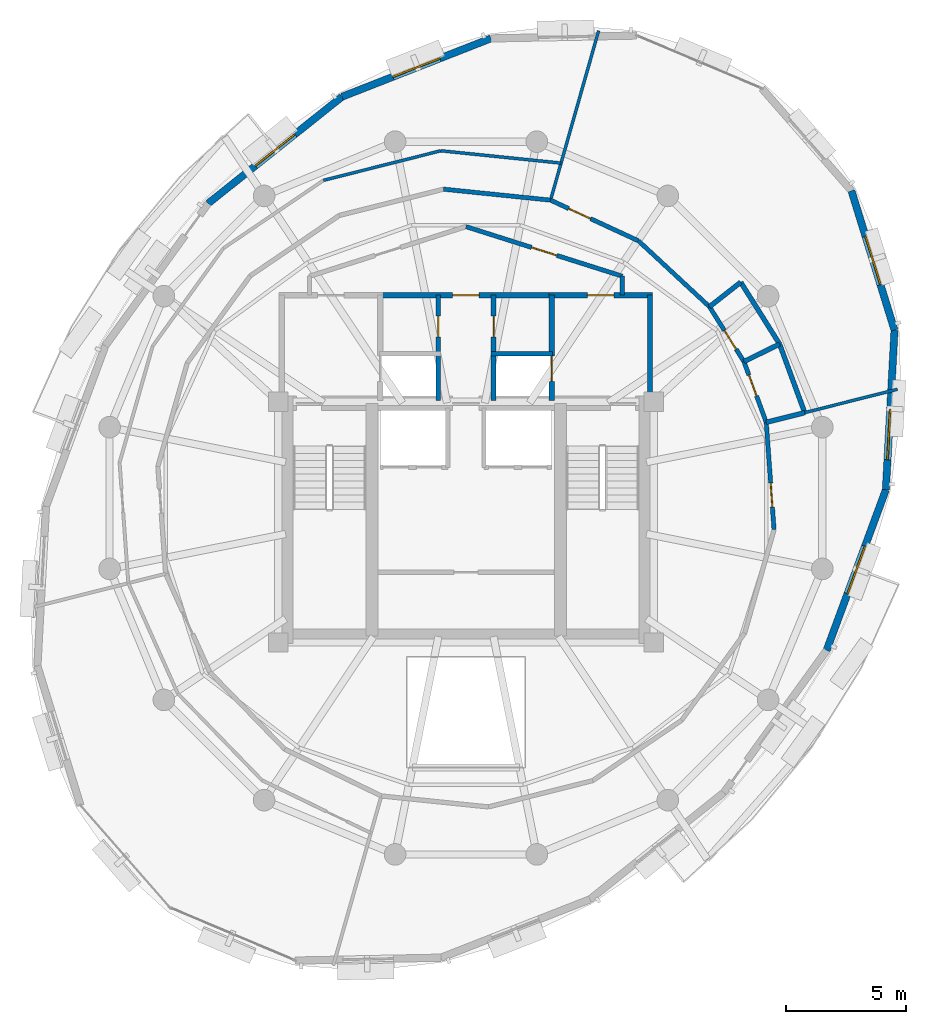
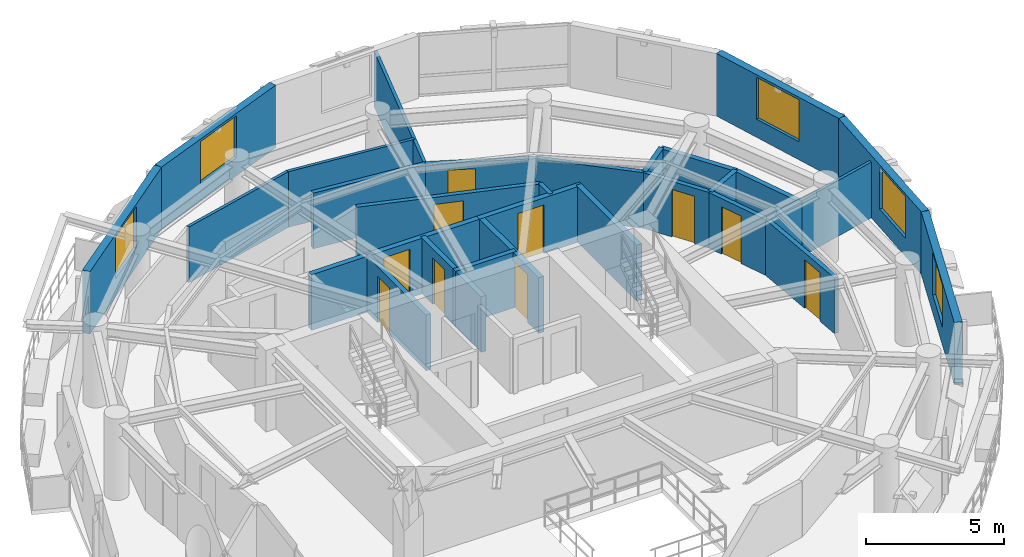
# One storey, part 8 of 11: 29 walls, 10 doors, 5 windows, 15 openings.
"""IFC4 building model written with IfcOpenShell, lengths in metres."""

from ifc_helpers import new_model, si_unit, direction, frame, frame_2d, origin, place, context, subcontext, project, spatial, rectangle, extrude, material, layer, layer_set, type_object, element, fill, save


model = new_model("IFC4")

# Units and contexts
model_context = context("Model", 3, precision=1e-05, world=origin(), true_north=direction((0.0, 1.0)))
body_context = subcontext(model_context, "Body", "Model", "MODEL_VIEW")
ifc_project = project(units=[si_unit("LENGTHUNIT", "METRE"), si_unit("AREAUNIT", "SQUARE_METRE"), si_unit("VOLUMEUNIT", "CUBIC_METRE"), si_unit("PLANEANGLEUNIT", "RADIAN"), si_unit("MASSUNIT", "GRAM", prefix="KILO"), si_unit("THERMODYNAMICTEMPERATUREUNIT", "KELVIN"), si_unit("POWERUNIT", "WATT")], contexts=[model_context])

# Site, building, storey
site_placement = place(None, origin())
site = spatial("IfcSite", under=ifc_project, at=site_placement, CompositionType="ELEMENT")
building_placement = place(site_placement, origin())
building = spatial("IfcBuilding", under=site, at=building_placement, Name="Ocrelia Relay Tower", CompositionType="ELEMENT")
storey_placement = place(building_placement, frame((0.0, 0.0, 255.60009765625)))
storey = spatial("IfcBuildingStorey", under=building, at=storey_placement, Name="L63", CompositionType="ELEMENT", Elevation=255.60009765625)

# Wall
ifc_material_1 = material(Name="Gypsum Fireboard Partition EI60", Category="gypsum")
ifc_layer_1 = layer(ifc_material_1, 0.179931640625, Name="Gypsum Fireboard Partition EI60")
ifc_layer_set_1 = layer_set([ifc_layer_1], Name="Gypsum Fireboard Partition EI60")
wall_type_1 = type_object("IfcWallType", Name="W-CORR-EI60-180", PredefinedType="PARTITIONING", material=ifc_layer_set_1)
wall_1_placement = place(storey_placement, frame((40.5, 35.218994140625, 0.0), z_axis=(0.0, 0.0, 1.0), x_axis=(0.0, -1.0, 0.0)))
element("IfcWall", 1, at=wall_1_placement, inside=storey, type_object=wall_type_1, Name="L63 Smoke Lobby East Return", PredefinedType="PARTITIONING", context=body_context, shape_type="SweptSolid", body=[
    extrude(rectangle(XDim=0.7890625, YDim=0.179931640625, at=frame_2d((0.39453125, 0.0))), origin(), (0.0, 0.0, 1.0), 2.4599609375),
])

# Wall, opening, door
wall_2_placement = place(storey_placement, frame((34.0, 37.280029296875, 0.0), z_axis=(0.0, 0.0, 1.0), x_axis=(0.953228121756, -0.302251795518, 0.0)))
wall_2 = element("IfcWall", 2, at=wall_2_placement, inside=storey, type_object=wall_type_1, Name="L63 North Smoke Lobby E Screen Wall", PredefinedType="PARTITIONING", context=body_context, shape_type="SweptSolid", body=[
    extrude(rectangle(XDim=6.81884765625, YDim=0.179931640625, at=frame_2d((3.409423828125, 0.0))), origin(), (0.0, 0.0, 1.0), 2.4599609375),
])
opening_1_placement = place(wall_2_placement, frame((2.859619140625, 0.0, 0.0)))
opening_1 = element("IfcOpeningElement", 3, at=opening_1_placement, cuts=wall_2, Name="Opening D-FD60", PredefinedType="OPENING", context=body_context, shape_type="SweptSolid", body=[
    extrude(rectangle(XDim=1.10009765625, YDim=2.14990234375, at=frame_2d((0.550048828125, 1.074951171875))), frame((0.0, 0.10009765625, 0.0), z_axis=(0.0, -1.0, 0.0), x_axis=(1.0, 0.0, 0.0)), (0.0, 0.0, 1.0), 0.199951171875),
])
ifc_material_2 = material(Name="Timber-core 60-min acoustic fire door", Category="wood")
door_type_1 = type_object("IfcDoorType", Name="DR-LOBBY-FD60-1100", OperationType="NOTDEFINED", PredefinedType="DOOR", material=ifc_material_2)
door_1_placement = place(opening_1_placement, origin())
door_1 = element("IfcDoor", 4, at=door_1_placement, inside=storey, type_object=door_type_1, Name="L63 North Smoke Lobby E Fire Door", OperationType="SINGLE_SWING_LEFT", OverallHeight=2.14990234375, OverallWidth=1.10009765625, PredefinedType="DOOR", context=body_context, shape_type="SweptSolid", body=[
    extrude(rectangle(XDim=1.10009765625, YDim=2.14990234375, at=frame_2d((0.550048828125, 1.074951171875))), frame((0.0, 0.02490234375, 0.0), z_axis=(0.0, -1.0, 0.0), x_axis=(1.0, 0.0, 0.0)), (0.0, 0.0, 1.0), 0.050048828125),
])
fill(opening_1, door_1)

wall_3_placement = place(storey_placement, frame((46.4794921875, 29.146240234375, 0.0), z_axis=(0.0, 0.0, 1.0), x_axis=(-0.34445194273, 0.938803951392, 0.0)))
wall_3 = element("IfcWall", 5, at=wall_3_placement, inside=storey, type_object=wall_type_1, Name="L63 Staff Toilet Corridor Wall", PredefinedType="PARTITIONING", context=body_context, shape_type="SweptSolid", body=[
    extrude(rectangle(XDim=2.6904296875, YDim=0.179931640625, at=frame_2d((1.34521484375, 0.0))), origin(), (0.0, 0.0, 1.0), 2.4599609375),
])
opening_2_placement = place(wall_3_placement, frame((1.16748046875, 0.0, 0.0)))
opening_2 = element("IfcOpeningElement", 6, at=opening_2_placement, cuts=wall_3, Name="Opening D-WC92", PredefinedType="OPENING", context=body_context, shape_type="SweptSolid", body=[
    extrude(rectangle(XDim=0.919921875, YDim=2.10009765625, at=frame_2d((0.4599609375, 1.050048828125))), frame((0.0, 0.10009765625, 0.0), z_axis=(0.0, -1.0, 0.0), x_axis=(1.0, 0.0, 0.0)), (0.0, 0.0, 1.0), 0.199951171875),
])
ifc_material_3 = material(Name="Laminate washroom door", Category="wood")
door_type_2 = type_object("IfcDoorType", Name="DR-WC-920", OperationType="NOTDEFINED", PredefinedType="DOOR", material=ifc_material_3)
door_2_placement = place(opening_2_placement, origin())
door_2 = element("IfcDoor", 7, at=door_2_placement, inside=storey, type_object=door_type_2, Name="L63 Staff Toilet Door", OperationType="SINGLE_SWING_RIGHT", OverallHeight=2.10009765625, OverallWidth=0.919921875, PredefinedType="DOOR", context=body_context, shape_type="SweptSolid", body=[
    extrude(rectangle(XDim=0.919921875, YDim=2.10009765625, at=frame_2d((0.4599609375, 1.050048828125))), frame((0.0, 0.02490234375, 0.0), z_axis=(0.0, -1.0, 0.0), x_axis=(1.0, 0.0, 0.0)), (0.0, 0.0, 1.0), 0.050048828125),
])
fill(opening_2, door_2)

wall_4_placement = place(storey_placement, frame((45.552734375, 31.672119140625, 0.0), z_axis=(0.0, 0.0, 1.0), x_axis=(-0.53215853756, 0.846644725314, 0.0)))
wall_4 = element("IfcWall", 8, at=wall_4_placement, inside=storey, type_object=wall_type_1, Name="L63 Accessible Toilet Corridor Wall", PredefinedType="PARTITIONING", context=body_context, shape_type="SweptSolid", body=[
    extrude(rectangle(XDim=2.690673828125, YDim=0.179931640625, at=frame_2d((1.34521484375, 0.0))), origin(), (0.0, 0.0, 1.0), 2.4599609375),
])
opening_3_placement = place(wall_4_placement, frame((0.603271484375, 0.0, 0.0)))
opening_3 = element("IfcOpeningElement", 9, at=opening_3_placement, cuts=wall_4, Name="Opening D-WC92", PredefinedType="OPENING", context=body_context, shape_type="SweptSolid", body=[
    extrude(rectangle(XDim=0.919921875, YDim=2.10009765625, at=frame_2d((0.4599609375, 1.050048828125))), frame((0.0, 0.10009765625, 0.0), z_axis=(0.0, -1.0, 0.0), x_axis=(1.0, 0.0, 0.0)), (0.0, 0.0, 1.0), 0.199951171875),
])
door_3_placement = place(opening_3_placement, origin())
door_3 = element("IfcDoor", 10, at=door_3_placement, inside=storey, type_object=door_type_2, Name="L63 Accessible Toilet Door", OperationType="SINGLE_SWING_LEFT", OverallHeight=2.10009765625, OverallWidth=0.919921875, PredefinedType="DOOR", context=body_context, shape_type="SweptSolid", body=[
    extrude(rectangle(XDim=0.919921875, YDim=2.10009765625, at=frame_2d((0.4599609375, 1.050048828125))), frame((0.0, 0.02490234375, 0.0), z_axis=(0.0, -1.0, 0.0), x_axis=(1.0, 0.0, 0.0)), (0.0, 0.0, 1.0), 0.050048828125),
])
fill(opening_3, door_3)

# Wall
wall_5_placement = place(storey_placement, frame((44.120849609375, 33.9501953125, 0.0), z_axis=(0.0, 0.0, 1.0), x_axis=(-0.733136774685, 0.680081222799, 0.0)))
element("IfcWall", 11, at=wall_5_placement, inside=storey, type_object=wall_type_1, Name="L63 Executive Lounge Corridor Partition 1", PredefinedType="PARTITIONING", context=body_context, shape_type="SweptSolid", body=[
    extrude(rectangle(XDim=4.0263671875, YDim=0.179931640625, at=frame_2d((2.01318359375, 0.0))), origin(), (0.0, 0.0, 1.0), 2.4599609375),
])

# Wall, opening, door
wall_6_placement = place(storey_placement, frame((41.1689453125, 36.6884765625, 0.0), z_axis=(0.0, 0.0, 1.0), x_axis=(-0.907413819327, 0.420238218746, 0.0)))
wall_6 = element("IfcWall", 12, at=wall_6_placement, inside=storey, type_object=wall_type_1, Name="L63 Executive Lounge Corridor Partition 2", PredefinedType="PARTITIONING", context=body_context, shape_type="SweptSolid", body=[
    extrude(rectangle(XDim=4.026611328125, YDim=0.179931640625, at=frame_2d((2.01318359375, 0.0))), origin(), (0.0, 0.0, 1.0), 2.4599609375),
])
opening_4_placement = place(wall_6_placement, frame((2.195068359375, 0.0, 0.0)))
opening_4 = element("IfcOpeningElement", 13, at=opening_4_placement, cuts=wall_6, Name="Opening D-RM100", PredefinedType="OPENING", context=body_context, shape_type="SweptSolid", body=[
    extrude(rectangle(XDim=1.0, YDim=2.14990234375, at=frame_2d((0.5, 1.074951171875))), frame((0.0, 0.10009765625, 0.0), z_axis=(0.0, -1.0, 0.0), x_axis=(1.0, 0.0, 0.0)), (0.0, 0.0, 1.0), 0.199951171875),
])
ifc_material_4 = material(Name="Acoustic oak veneer fire door", Category="wood")
door_type_3 = type_object("IfcDoorType", Name="DR-ROOM-FD60-1000", OperationType="NOTDEFINED", PredefinedType="DOOR", material=ifc_material_4)
door_4_placement = place(opening_4_placement, origin())
door_4 = element("IfcDoor", 14, at=door_4_placement, inside=storey, type_object=door_type_3, Name="L63 Executive Lounge Entrance Door", OperationType="SINGLE_SWING_RIGHT", OverallHeight=2.14990234375, OverallWidth=1.0, PredefinedType="DOOR", context=body_context, shape_type="SweptSolid", body=[
    extrude(rectangle(XDim=1.0, YDim=2.14990234375, at=frame_2d((0.5, 1.074951171875))), frame((0.0, 0.02490234375, 0.0), z_axis=(0.0, -1.0, 0.0), x_axis=(1.0, 0.0, 0.0)), (0.0, 0.0, 1.0), 0.050048828125),
])
fill(opening_4, door_4)

# Wall
wall_7_placement = place(storey_placement, frame((37.51513671875, 38.380615234375, 0.0), z_axis=(0.0, 0.0, 1.0), x_axis=(-0.994792520189, 0.10192076224, 0.0)))
element("IfcWall", 15, at=wall_7_placement, inside=storey, type_object=wall_type_1, Name="L63 Principal Reading Gallery Corridor Partition 1", PredefinedType="PARTITIONING", context=body_context, shape_type="SweptSolid", body=[
    extrude(rectangle(XDim=4.4697265625, YDim=0.179931640625, at=frame_2d((2.23486328125, 0.0))), origin(), (0.0, 0.0, 1.0), 2.4599609375),
])

# Wall, opening, door
wall_8_placement = place(storey_placement, frame((46.802978515625, 24.688232421875, 0.0), z_axis=(0.0, 0.0, 1.0), x_axis=(-0.072372694258, 0.997377658225, 0.0)))
wall_8 = element("IfcWall", 16, at=wall_8_placement, inside=storey, type_object=wall_type_1, Name="L63 Fellows Quiet Study Corridor Partition 6", PredefinedType="PARTITIONING", context=body_context, shape_type="SweptSolid", body=[
    extrude(rectangle(XDim=4.4697265625, YDim=0.179931640625, at=frame_2d((2.23486328125, 0.0))), origin(), (0.0, 0.0, 1.0), 2.4599609375),
])
opening_5_placement = place(wall_8_placement, frame((0.9423828125, 0.0, 0.0)))
opening_5 = element("IfcOpeningElement", 17, at=opening_5_placement, cuts=wall_8, Name="Opening D-RM100", PredefinedType="OPENING", context=body_context, shape_type="SweptSolid", body=[
    extrude(rectangle(XDim=1.0, YDim=2.14990234375, at=frame_2d((0.5, 1.074951171875))), frame((0.0, 0.10009765625, 0.0), z_axis=(0.0, -1.0, 0.0), x_axis=(1.0, 0.0, 0.0)), (0.0, 0.0, 1.0), 0.199951171875),
])
door_5_placement = place(opening_5_placement, origin())
door_5 = element("IfcDoor", 18, at=door_5_placement, inside=storey, type_object=door_type_3, Name="L63 Fellows Quiet Study Entrance Door", OperationType="SINGLE_SWING_LEFT", OverallHeight=2.14990234375, OverallWidth=1.0, PredefinedType="DOOR", context=body_context, shape_type="SweptSolid", body=[
    extrude(rectangle(XDim=1.0, YDim=2.14990234375, at=frame_2d((0.5, 1.074951171875))), frame((0.0, 0.02490234375, 0.0), z_axis=(0.0, -1.0, 0.0), x_axis=(1.0, 0.0, 0.0)), (0.0, 0.0, 1.0), 0.050048828125),
])
fill(opening_5, door_5)

# Wall, opening, window
ifc_material_5 = material(Name="Precast concrete C40/50 with oxide terracotta", Category="masonry")
ifc_layer_2 = layer(ifc_material_5, 0.300048828125, Name="Precast concrete C40/50 with oxide terracotta")
ifc_layer_set_2 = layer_set([ifc_layer_2], Name="Precast concrete C40/50 with oxide terracotta")
wall_type_2 = type_object("IfcWallType", Name="W-EXT-TERR-300", PredefinedType="SOLIDWALL", material=ifc_layer_set_2)
wall_9_placement = place(storey_placement, frame((35.033203125, 45.100341796875, 0.0), z_axis=(0.0, 0.0, 1.0), x_axis=(-0.931076763195, -0.364823328527, 0.0)))
wall_9 = element("IfcWall", 19, at=wall_9_placement, inside=storey, type_object=wall_type_2, Name="L63 Oxide Terracotta Facade Wall 03", PredefinedType="SOLIDWALL", context=body_context, shape_type="SweptSolid", body=[
    extrude(rectangle(XDim=6.64306640625, YDim=0.300048828125, at=frame_2d((3.321533203125, 0.0))), origin(), (0.0, 0.0, 1.0), 2.760009765625),
])
opening_6_placement = place(wall_9_placement, frame((2.27197265625, 0.0, 0.800048828125)))
opening_6 = element("IfcOpeningElement", 20, at=opening_6_placement, cuts=wall_9, Name="Opening W-07", PredefinedType="OPENING", context=body_context, shape_type="SweptSolid", body=[
    extrude(rectangle(XDim=2.10009765625, YDim=1.85009765625, at=frame_2d((1.050048828125, 0.925048828125))), frame((0.0, 0.16015625, 0.0), z_axis=(0.0, -1.0, 0.0), x_axis=(1.0, 0.0, 0.0)), (0.0, 0.0, 1.0), 0.320068359375),
])
ifc_material_6 = material(Name="Clear double-glazed low-E glass", Category="glass")
window_type = type_object("IfcWindowType", Name="WIN-Z4-2100x2200", PartitioningType="DOUBLE_PANEL_VERTICAL", PredefinedType="WINDOW", material=ifc_material_6)
window_1_placement = place(opening_6_placement, origin())
window_1 = element("IfcWindow", 21, at=window_1_placement, inside=storey, type_object=window_type, Name="L63 Facade Module Window 03", OverallHeight=1.85009765625, OverallWidth=2.10009765625, PartitioningType="SINGLE_PANEL", PredefinedType="WINDOW", context=body_context, shape_type="SweptSolid", body=[
    extrude(rectangle(XDim=2.10009765625, YDim=1.85009765625, at=frame_2d((1.050048828125, 0.925048828125))), frame((0.0, 0.030029296875, 0.0), z_axis=(0.0, -1.0, 0.0), x_axis=(1.0, 0.0, 0.0)), (0.0, 0.0, 1.0), 0.06005859375),
])
fill(opening_6, window_1)

wall_10_placement = place(storey_placement, frame((28.847900390625, 42.6767578125, 0.0), z_axis=(0.0, 0.0, 1.0), x_axis=(-0.781972270078, -0.623313218879, 0.0)))
wall_10 = element("IfcWall", 22, at=wall_10_placement, inside=storey, type_object=wall_type_2, Name="L63 Oxide Terracotta Facade Wall 04", PredefinedType="SOLIDWALL", context=body_context, shape_type="SweptSolid", body=[
    extrude(rectangle(XDim=7.115234375, YDim=0.300048828125, at=frame_2d((3.5576171875, 0.0))), origin(), (0.0, 0.0, 1.0), 2.760009765625),
])
opening_7_placement = place(wall_10_placement, frame((2.508056640625, 0.0, 0.800048828125)))
opening_7 = element("IfcOpeningElement", 23, at=opening_7_placement, cuts=wall_10, Name="Opening W-07", PredefinedType="OPENING", context=body_context, shape_type="SweptSolid", body=[
    extrude(rectangle(XDim=2.10009765625, YDim=1.85009765625, at=frame_2d((1.050048828125, 0.925048828125))), frame((0.0, 0.16015625, 0.0), z_axis=(0.0, -1.0, 0.0), x_axis=(1.0, 0.0, 0.0)), (0.0, 0.0, 1.0), 0.320068359375),
])
window_2_placement = place(opening_7_placement, origin())
window_2 = element("IfcWindow", 24, at=window_2_placement, inside=storey, type_object=window_type, Name="L63 Facade Module Window 04", OverallHeight=1.85009765625, OverallWidth=2.10009765625, PartitioningType="SINGLE_PANEL", PredefinedType="WINDOW", context=body_context, shape_type="SweptSolid", body=[
    extrude(rectangle(XDim=2.10009765625, YDim=1.85009765625, at=frame_2d((1.050048828125, 0.925048828125))), frame((0.0, 0.030029296875, 0.0), z_axis=(0.0, -1.0, 0.0), x_axis=(1.0, 0.0, 0.0)), (0.0, 0.0, 1.0), 0.06005859375),
])
fill(opening_7, window_2)

wall_11_placement = place(storey_placement, frame((48.9873046875, 19.669921875, 0.0), z_axis=(0.0, 0.0, 1.0), x_axis=(0.346249114685, 0.938142606739, 0.0)))
wall_11 = element("IfcWall", 25, at=wall_11_placement, inside=storey, type_object=wall_type_2, Name="L63 Oxide Terracotta Facade Wall 15", PredefinedType="SOLIDWALL", context=body_context, shape_type="SweptSolid", body=[
    extrude(rectangle(XDim=7.115234375, YDim=0.300048828125, at=frame_2d((3.5576171875, 0.0))), origin(), (0.0, 0.0, 1.0), 2.760009765625),
])
opening_8_placement = place(wall_11_placement, frame((2.508056640625, 0.0, 0.800048828125)))
opening_8 = element("IfcOpeningElement", 26, at=opening_8_placement, cuts=wall_11, Name="Opening W-07", PredefinedType="OPENING", context=body_context, shape_type="SweptSolid", body=[
    extrude(rectangle(XDim=2.10009765625, YDim=1.85009765625, at=frame_2d((1.050048828125, 0.925048828125))), frame((0.0, 0.16015625, 0.0), z_axis=(0.0, -1.0, 0.0), x_axis=(1.0, 0.0, 0.0)), (0.0, 0.0, 1.0), 0.320068359375),
])
window_3_placement = place(opening_8_placement, origin())
window_3 = element("IfcWindow", 27, at=window_3_placement, inside=storey, type_object=window_type, Name="L63 Facade Module Window 15", OverallHeight=1.85009765625, OverallWidth=2.10009765625, PartitioningType="SINGLE_PANEL", PredefinedType="WINDOW", context=body_context, shape_type="SweptSolid", body=[
    extrude(rectangle(XDim=2.10009765625, YDim=1.85009765625, at=frame_2d((1.050048828125, 0.925048828125))), frame((0.0, 0.030029296875, 0.0), z_axis=(0.0, -1.0, 0.0), x_axis=(1.0, 0.0, 0.0)), (0.0, 0.0, 1.0), 0.06005859375),
])
fill(opening_8, window_3)

wall_12_placement = place(storey_placement, frame((51.450927734375, 26.344970703125, 0.0), z_axis=(0.0, 0.0, 1.0), x_axis=(0.054024777516, 0.998539595316, 0.0)))
wall_12 = element("IfcWall", 28, at=wall_12_placement, inside=storey, type_object=wall_type_2, Name="L63 Oxide Terracotta Facade Wall 16", PredefinedType="SOLIDWALL", context=body_context, shape_type="SweptSolid", body=[
    extrude(rectangle(XDim=6.64306640625, YDim=0.300048828125, at=frame_2d((3.321533203125, 0.0))), origin(), (0.0, 0.0, 1.0), 2.760009765625),
])
opening_9_placement = place(wall_12_placement, frame((1.2509765625, 0.0, 0.800048828125)))
opening_9 = element("IfcOpeningElement", 29, at=opening_9_placement, cuts=wall_12, Name="Opening W-07", PredefinedType="OPENING", context=body_context, shape_type="SweptSolid", body=[
    extrude(rectangle(XDim=2.10009765625, YDim=1.85009765625, at=frame_2d((1.050048828125, 0.925048828125))), frame((0.0, 0.16015625, 0.0), z_axis=(0.0, -1.0, 0.0), x_axis=(1.0, 0.0, 0.0)), (0.0, 0.0, 1.0), 0.320068359375),
])
window_4_placement = place(opening_9_placement, origin())
window_4 = element("IfcWindow", 30, at=window_4_placement, inside=storey, type_object=window_type, Name="L63 Facade Module Window 16", OverallHeight=1.85009765625, OverallWidth=2.10009765625, PartitioningType="SINGLE_PANEL", PredefinedType="WINDOW", context=body_context, shape_type="SweptSolid", body=[
    extrude(rectangle(XDim=2.10009765625, YDim=1.85009765625, at=frame_2d((1.050048828125, 0.925048828125))), frame((0.0, 0.030029296875, 0.0), z_axis=(0.0, -1.0, 0.0), x_axis=(1.0, 0.0, 0.0)), (0.0, 0.0, 1.0), 0.06005859375),
])
fill(opening_9, window_4)

wall_13_placement = place(storey_placement, frame((51.809814453125, 32.978271484375, 0.0), z_axis=(0.0, 0.0, 1.0), x_axis=(-0.295175258965, 0.955443125725, 0.0)))
wall_13 = element("IfcWall", 31, at=wall_13_placement, inside=storey, type_object=wall_type_2, Name="L63 Oxide Terracotta Facade Wall 17", PredefinedType="SOLIDWALL", context=body_context, shape_type="SweptSolid", body=[
    extrude(rectangle(XDim=6.061767578125, YDim=0.300048828125, at=frame_2d((3.03076171875, 0.0))), origin(), (0.0, 0.0, 1.0), 2.760009765625),
])
opening_10_placement = place(wall_13_placement, frame((1.98095703125, 0.0, 0.800048828125)))
opening_10 = element("IfcOpeningElement", 32, at=opening_10_placement, cuts=wall_13, Name="Opening W-07", PredefinedType="OPENING", context=body_context, shape_type="SweptSolid", body=[
    extrude(rectangle(XDim=2.10009765625, YDim=1.85009765625, at=frame_2d((1.050048828125, 0.925048828125))), frame((0.0, 0.16015625, 0.0), z_axis=(0.0, -1.0, 0.0), x_axis=(1.0, 0.0, 0.0)), (0.0, 0.0, 1.0), 0.320068359375),
])
window_5_placement = place(opening_10_placement, origin())
window_5 = element("IfcWindow", 33, at=window_5_placement, inside=storey, type_object=window_type, Name="L63 Facade Module Window 17", OverallHeight=1.85009765625, OverallWidth=2.10009765625, PartitioningType="SINGLE_PANEL", PredefinedType="WINDOW", context=body_context, shape_type="SweptSolid", body=[
    extrude(rectangle(XDim=2.10009765625, YDim=1.85009765625, at=frame_2d((1.050048828125, 0.925048828125))), frame((0.0, 0.030029296875, 0.0), z_axis=(0.0, -1.0, 0.0), x_axis=(1.0, 0.0, 0.0)), (0.0, 0.0, 1.0), 0.06005859375),
])
fill(opening_10, window_5)

# Wall, opening, door
ifc_material_7 = material(Name="Concrete C50/60", Category="concrete")
ifc_layer_3 = layer(ifc_material_7, 0.219970703125, Name="Concrete C50/60")
ifc_layer_set_3 = layer_set([ifc_layer_3], Name="Concrete C50/60")
wall_type_3 = type_object("IfcWallType", Name="W-FFL-EI120-220", PredefinedType="SOLIDWALL", material=ifc_layer_set_3)
wall_14_placement = place(storey_placement, frame((37.56005859375, 30.050048828125, 0.0), z_axis=(0.0, 0.0, 1.0), x_axis=(0.0, 1.0, 0.0)))
wall_14 = element("IfcWall", 34, at=wall_14_placement, inside=storey, type_object=wall_type_3, Name="L63 E Fire Service Lift Lobby West Wall", PredefinedType="SOLIDWALL", context=body_context, shape_type="SweptSolid", body=[
    extrude(rectangle(XDim=4.3798828125, YDim=0.219970703125, at=frame_2d((2.18994140625, 0.0))), origin(), (0.0, 0.0, 1.0), 2.4599609375),
])
opening_11_placement = place(wall_14_placement, frame((0.800048828125, 0.0, 0.0)))
opening_11 = element("IfcOpeningElement", 35, at=opening_11_placement, cuts=wall_14, Name="Opening LD-FFL2", PredefinedType="OPENING", context=body_context, shape_type="SweptSolid", body=[
    extrude(rectangle(XDim=1.050048828125, YDim=2.10009765625, at=frame_2d((0.52490234375, 1.050048828125))), frame((0.0, 0.1201171875, 0.0), z_axis=(0.0, -1.0, 0.0), x_axis=(1.0, 0.0, 0.0)), (0.0, 0.0, 1.0), 0.239990234375),
])
ifc_material_8 = material(Name="Brushed stainless steel S355 lift landing door", Category="steel")
door_type_4 = type_object("IfcDoorType", Name="DR-LIFT-LAND-1050", OperationType="DOUBLE_DOOR_SLIDING", PredefinedType="USERDEFINED", material=ifc_material_8)
door_6_placement = place(opening_11_placement, origin())
door_6 = element("IfcDoor", 36, at=door_6_placement, inside=storey, type_object=door_type_4, Name="L63 Firefighting Lift FFL2 Sliding Landing Door", ObjectType="LANDING DOOR", OperationType="DOUBLE_DOOR_SLIDING", OverallHeight=2.10009765625, OverallWidth=1.050048828125, PredefinedType="USERDEFINED", context=body_context, shape_type="SweptSolid", body=[
    extrude(rectangle(XDim=1.050048828125, YDim=2.10009765625, at=frame_2d((0.52490234375, 1.050048828125))), frame((0.0, 0.02490234375, 0.0), z_axis=(0.0, -1.0, 0.0), x_axis=(1.0, 0.0, 0.0)), (0.0, 0.0, 1.0), 0.050048828125),
])
fill(opening_11, door_6)

# Wall
wall_15_placement = place(storey_placement, frame((41.64990234375, 30.050048828125, 0.0), z_axis=(0.0, 0.0, 1.0), x_axis=(0.0, 1.0, 0.0)))
element("IfcWall", 37, at=wall_15_placement, inside=storey, type_object=wall_type_3, Name="L63 E Fire Service Lift Lobby East Wall", PredefinedType="SOLIDWALL", context=body_context, shape_type="SweptSolid", body=[
    extrude(rectangle(XDim=4.3798828125, YDim=0.219970703125, at=frame_2d((2.18994140625, 0.0))), origin(), (0.0, 0.0, 1.0), 2.4599609375),
])

# Wall, opening, door
wall_16_placement = place(storey_placement, frame((37.449951171875, 34.429931640625, 0.0), z_axis=(0.0, 0.0, 1.0), x_axis=(1.0, 0.0, 0.0)))
wall_16 = element("IfcWall", 38, at=wall_16_placement, inside=storey, type_object=wall_type_3, Name="L63 E Fire Service Lift Lobby North Wall", PredefinedType="SOLIDWALL", context=body_context, shape_type="SweptSolid", body=[
    extrude(rectangle(XDim=4.31005859375, YDim=0.219970703125, at=frame_2d((2.155029296875, 0.0))), origin(), (0.0, 0.0, 1.0), 2.4599609375),
])
opening_12_placement = place(wall_16_placement, frame((1.60009765625, 0.0, 0.0)))
opening_12 = element("IfcOpeningElement", 39, at=opening_12_placement, cuts=wall_16, Name="Opening D-FD60", PredefinedType="OPENING", context=body_context, shape_type="SweptSolid", body=[
    extrude(rectangle(XDim=1.10009765625, YDim=2.14990234375, at=frame_2d((0.550048828125, 1.074951171875))), frame((0.0, 0.1201171875, 0.0), z_axis=(0.0, -1.0, 0.0), x_axis=(1.0, 0.0, 0.0)), (0.0, 0.0, 1.0), 0.239990234375),
])
door_7_placement = place(opening_12_placement, origin())
door_7 = element("IfcDoor", 40, at=door_7_placement, inside=storey, type_object=door_type_1, Name="L63 E Fire Service Lift Lobby Exit Door", OperationType="SINGLE_SWING_RIGHT", OverallHeight=2.14990234375, OverallWidth=1.10009765625, PredefinedType="DOOR", context=body_context, shape_type="SweptSolid", body=[
    extrude(rectangle(XDim=1.10009765625, YDim=2.14990234375, at=frame_2d((0.550048828125, 1.074951171875))), frame((0.0, 0.02490234375, 0.0), z_axis=(0.0, -1.0, 0.0), x_axis=(1.0, 0.0, 0.0)), (0.0, 0.0, 1.0), 0.050048828125),
])
fill(opening_12, door_7)

wall_17_placement = place(storey_placement, frame((30.43994140625, 34.429931640625, 0.0), z_axis=(0.0, 0.0, 1.0), x_axis=(1.0, 0.0, 0.0)))
wall_17 = element("IfcWall", 41, at=wall_17_placement, inside=storey, type_object=wall_type_3, Name="L63 North Core Vestibule Wall", PredefinedType="SOLIDWALL", context=body_context, shape_type="SweptSolid", body=[
    extrude(rectangle(XDim=7.1201171875, YDim=0.219970703125, at=frame_2d((3.56005859375, 0.0))), origin(), (0.0, 0.0, 1.0), 2.4599609375),
])
opening_13_placement = place(wall_17_placement, frame((3.010009765625, 0.0, 0.0)))
opening_13 = element("IfcOpeningElement", 42, at=opening_13_placement, cuts=wall_17, Name="Opening D-FD60", PredefinedType="OPENING", context=body_context, shape_type="SweptSolid", body=[
    extrude(rectangle(XDim=1.10009765625, YDim=2.14990234375, at=frame_2d((0.550048828125, 1.074951171875))), frame((0.0, 0.1201171875, 0.0), z_axis=(0.0, -1.0, 0.0), x_axis=(1.0, 0.0, 0.0)), (0.0, 0.0, 1.0), 0.239990234375),
])
door_8_placement = place(opening_13_placement, origin())
door_8 = element("IfcDoor", 43, at=door_8_placement, inside=storey, type_object=door_type_1, Name="L63 North Core Vestibule Corridor Door", OperationType="SINGLE_SWING_RIGHT", OverallHeight=2.14990234375, OverallWidth=1.10009765625, PredefinedType="DOOR", context=body_context, shape_type="SweptSolid", body=[
    extrude(rectangle(XDim=1.10009765625, YDim=2.14990234375, at=frame_2d((0.550048828125, 1.074951171875))), frame((0.0, 0.02490234375, 0.0), z_axis=(0.0, -1.0, 0.0), x_axis=(1.0, 0.0, 0.0)), (0.0, 0.0, 1.0), 0.050048828125),
])
fill(opening_13, door_8)

# Walls
ifc_material_9 = material(Name="Acoustic Fireboard Partition EI60", Category="gypsum")
ifc_layer_4 = layer(ifc_material_9, 0.125, Name="Acoustic Fireboard Partition EI60")
ifc_layer_set_4 = layer_set([ifc_layer_4], Name="Acoustic Fireboard Partition EI60")
wall_type_4 = type_object("IfcWallType", Name="W-PART-125", PredefinedType="PARTITIONING", material=ifc_layer_set_4)
wall_18_placement = place(storey_placement, frame((48.079345703125, 29.549560546875, 0.0), z_axis=(0.0, 0.0, 1.0), x_axis=(0.969652347414, 0.244487883451, 0.0)))
element("IfcWall", 44, at=wall_18_placement, inside=storey, type_object=wall_type_4, Name="L63 Executive Lounge Radial Partition", PredefinedType="PARTITIONING", context=body_context, shape_type="SweptSolid", body=[
    extrude(rectangle(XDim=3.971435546875, YDim=0.125, at=frame_2d((1.98583984375, 0.0))), origin(), (0.0, 0.0, 1.0), 2.4599609375),
])
wall_19_placement = place(storey_placement, frame((37.51513671875, 38.380615234375, 0.0), z_axis=(0.0, 0.0, 1.0), x_axis=(0.273121338455, 0.961979591509, 0.0)))
element("IfcWall", 45, at=wall_19_placement, inside=storey, type_object=wall_type_4, Name="L63 Executive Lounge Radial Partition", PredefinedType="PARTITIONING", context=body_context, shape_type="SweptSolid", body=[
    extrude(rectangle(XDim=7.318359375, YDim=0.125, at=frame_2d((3.6591796875, 0.0))), origin(), (0.0, 0.0, 1.0), 2.4599609375),
])
wall_20_placement = place(storey_placement, frame((37.951904296875, 39.919921875, 0.0), z_axis=(0.0, 0.0, 1.0), x_axis=(-0.994791801286, 0.101927778819, 0.0)))
element("IfcWall", 46, at=wall_20_placement, inside=storey, type_object=wall_type_4, Name="L63 Perimeter Principal Reading Gallery Mid-Ring Partition 1", PredefinedType="PARTITIONING", context=body_context, shape_type="SweptSolid", body=[
    extrude(rectangle(XDim=5.025146484375, YDim=0.125, at=frame_2d((2.5126953125, 0.0))), origin(), (0.0, 0.0, 1.0), 2.4599609375),
])
wall_21_placement = place(storey_placement, frame((32.952880859375, 40.43212890625, 0.0), z_axis=(0.0, 0.0, 1.0), x_axis=(-0.969660512987, -0.24445549606, 0.0)))
element("IfcWall", 47, at=wall_21_placement, inside=storey, type_object=wall_type_4, Name="L63 Perimeter Principal Reading Gallery Mid-Ring Partition 2", PredefinedType="PARTITIONING", context=body_context, shape_type="SweptSolid", body=[
    extrude(rectangle(XDim=5.025634765625, YDim=0.125, at=frame_2d((2.5126953125, 0.0))), origin(), (0.0, 0.0, 1.0), 2.4599609375),
])
ifc_material_10 = material(Name="Moisture-Resistant Fireboard Chase Wall EI60", Category="gypsum")
ifc_layer_5 = layer(ifc_material_10, 0.199951171875, Name="Moisture-Resistant Fireboard Chase Wall EI60")
ifc_layer_set_5 = layer_set([ifc_layer_5], Name="Moisture-Resistant Fireboard Chase Wall EI60")
wall_type_5 = type_object("IfcWallType", Name="W-PLUMB-200", PredefinedType="PLUMBINGWALL", material=ifc_layer_set_5)
for number, where, z_axis, x_axis, name in (
    (48, (46.4794921875, 29.146240234375, 0.0), (0.0, 0.0, 1.0), (0.969661876615, 0.244450087009, 0.0), "L63 Staff Toilet Plumbing Radial Wall"),
    (49, (45.552734375, 31.672119140625, 0.0), (0.0, 0.0, 1.0), (0.897600551411, 0.440809766346, 0.0), "L63 Staff Toilet Plumbing Radial Wall"),
):
    element("IfcWall", number, at=place(storey_placement, frame(where, z_axis=z_axis, x_axis=x_axis)), inside=storey, type_object=wall_type_5, Name=name, PredefinedType="PLUMBINGWALL", context=body_context, shape_type="SweptSolid", body=[
        extrude(rectangle(XDim=1.64990234375, YDim=0.199951171875, at=frame_2d((0.824951171875, 0.0))), origin(), (0.0, 0.0, 1.0), 2.4599609375),
    ])
wall_22_placement = place(storey_placement, frame((48.079345703125, 29.549560546875, 0.0), z_axis=(0.0, 0.0, 1.0), x_axis=(-0.344460232701, 0.938800909718, 0.0)))
element("IfcWall", 50, at=wall_22_placement, inside=storey, type_object=wall_type_5, Name="L63 Staff Toilet Back Plumbing Wall", PredefinedType="PLUMBINGWALL", context=body_context, shape_type="SweptSolid", body=[
    extrude(rectangle(XDim=3.03564453125, YDim=0.199951171875, at=frame_2d((1.517822265625, 0.0))), origin(), (0.0, 0.0, 1.0), 2.4599609375),
])
wall_23_placement = place(storey_placement, frame((44.120849609375, 33.9501953125, 0.0), z_axis=(0.0, 0.0, 1.0), x_axis=(0.786467220812, 0.617632018752, 0.0)))
element("IfcWall", 51, at=wall_23_placement, inside=storey, type_object=wall_type_5, Name="L63 Accessible Toilet Plumbing Radial Wall", PredefinedType="PLUMBINGWALL", context=body_context, shape_type="SweptSolid", body=[
    extrude(rectangle(XDim=1.64990234375, YDim=0.199951171875, at=frame_2d((0.824951171875, 0.0))), origin(), (0.0, 0.0, 1.0), 2.4599609375),
])
wall_24_placement = place(storey_placement, frame((47.03369140625, 32.3994140625, 0.0), z_axis=(0.0, 0.0, 1.0), x_axis=(-0.532151777778, 0.846648974137, 0.0)))
element("IfcWall", 52, at=wall_24_placement, inside=storey, type_object=wall_type_5, Name="L63 Accessible Toilet Back Plumbing Wall", PredefinedType="PLUMBINGWALL", context=body_context, shape_type="SweptSolid", body=[
    extrude(rectangle(XDim=3.035400390625, YDim=0.199951171875, at=frame_2d((1.517578125, 0.0))), origin(), (0.0, 0.0, 1.0), 2.4599609375),
])

# Wall, opening, door
ifc_layer_6 = layer(ifc_material_7, 0.199951171875, Name="Concrete C50/60")
ifc_layer_set_6 = layer_set([ifc_layer_6], Name="Concrete C50/60")
wall_type_6 = type_object("IfcWallType", Name="W-SHAFT-EI120-200", PredefinedType="SOLIDWALL", material=ifc_layer_set_6)
wall_25_placement = place(storey_placement, frame((32.85009765625, 30.050048828125, 0.0), z_axis=(0.0, 0.0, 1.0), x_axis=(0.0, 1.0, 0.0)))
wall_25 = element("IfcWall", 53, at=wall_25_placement, inside=storey, type_object=wall_type_6, Name="L63 FFL1 and Service Vestibule Wall", PredefinedType="SOLIDWALL", context=body_context, shape_type="SweptSolid", body=[
    extrude(rectangle(XDim=4.3798828125, YDim=0.199951171875, at=frame_2d((2.18994140625, 0.0))), origin(), (0.0, 0.0, 1.0), 2.4599609375),
])
opening_14_placement = place(wall_25_placement, frame((2.64990234375, 0.0, 0.0)))
opening_14 = element("IfcOpeningElement", 54, at=opening_14_placement, cuts=wall_25, Name="Opening D-RS86", PredefinedType="OPENING", context=body_context, shape_type="SweptSolid", body=[
    extrude(rectangle(XDim=0.860107421875, YDim=2.050048828125, at=frame_2d((0.43017578125, 1.02490234375))), frame((0.0, 0.10986328125, 0.0), z_axis=(0.0, -1.0, 0.0), x_axis=(1.0, 0.0, 0.0)), (0.0, 0.0, 1.0), 0.219970703125),
])
ifc_material_11 = material(Name="Steel S355 riser access fire door", Category="steel")
door_type_5 = type_object("IfcDoorType", Name="DR-RISER-TRAP-860", OperationType="NOTDEFINED", PredefinedType="TRAPDOOR", material=ifc_material_11)
door_9_placement = place(opening_14_placement, origin())
door_9 = element("IfcDoor", 55, at=door_9_placement, inside=storey, type_object=door_type_5, Name="L63 Core Support Room W Door", OperationType="SINGLE_SWING_LEFT", OverallHeight=2.050048828125, OverallWidth=0.860107421875, PredefinedType="TRAPDOOR", context=body_context, shape_type="SweptSolid", body=[
    extrude(rectangle(XDim=0.860107421875, YDim=2.050048828125, at=frame_2d((0.43017578125, 1.02490234375))), frame((0.0, 0.02490234375, 0.0), z_axis=(0.0, -1.0, 0.0), x_axis=(1.0, 0.0, 0.0)), (0.0, 0.0, 1.0), 0.050048828125),
])
fill(opening_14, door_9)

# Wall
wall_26_placement = place(storey_placement, frame((35.050048828125, 32.0, 0.0), z_axis=(0.0, 0.0, 1.0), x_axis=(1.0, 0.0, 0.0)))
element("IfcWall", 56, at=wall_26_placement, inside=storey, type_object=wall_type_6, Name="L63 FFL2 Hoistway North Wall", PredefinedType="SOLIDWALL", context=body_context, shape_type="SweptSolid", body=[
    extrude(rectangle(XDim=2.550048828125, YDim=0.199951171875, at=frame_2d((1.27490234375, 0.0))), origin(), (0.0, 0.0, 1.0), 2.4599609375),
])

# Wall, opening, door
wall_27_placement = place(storey_placement, frame((35.14990234375, 30.050048828125, 0.0), z_axis=(0.0, 0.0, 1.0), x_axis=(0.0, 1.0, 0.0)))
wall_27 = element("IfcWall", 57, at=wall_27_placement, inside=storey, type_object=wall_type_6, Name="L63 FFL2 and Service Vestibule Wall", PredefinedType="SOLIDWALL", context=body_context, shape_type="SweptSolid", body=[
    extrude(rectangle(XDim=4.3798828125, YDim=0.199951171875, at=frame_2d((2.18994140625, 0.0))), origin(), (0.0, 0.0, 1.0), 2.4599609375),
])
opening_15_placement = place(wall_27_placement, frame((2.64990234375, 0.0, 0.0)))
opening_15 = element("IfcOpeningElement", 58, at=opening_15_placement, cuts=wall_27, Name="Opening D-RS86", PredefinedType="OPENING", context=body_context, shape_type="SweptSolid", body=[
    extrude(rectangle(XDim=0.860107421875, YDim=2.050048828125, at=frame_2d((0.43017578125, 1.02490234375))), frame((0.0, 0.10986328125, 0.0), z_axis=(0.0, -1.0, 0.0), x_axis=(1.0, 0.0, 0.0)), (0.0, 0.0, 1.0), 0.219970703125),
])
door_10_placement = place(opening_15_placement, origin())
door_10 = element("IfcDoor", 59, at=door_10_placement, inside=storey, type_object=door_type_5, Name="L63 Core Support Room E Door", OperationType="SINGLE_SWING_LEFT", OverallHeight=2.050048828125, OverallWidth=0.860107421875, PredefinedType="TRAPDOOR", context=body_context, shape_type="SweptSolid", body=[
    extrude(rectangle(XDim=0.860107421875, YDim=2.050048828125, at=frame_2d((0.43017578125, 1.02490234375))), frame((0.0, 0.02490234375, 0.0), z_axis=(0.0, -1.0, 0.0), x_axis=(1.0, 0.0, 0.0)), (0.0, 0.0, 1.0), 0.050048828125),
])
fill(opening_15, door_10)

save(model, "model.ifc")
